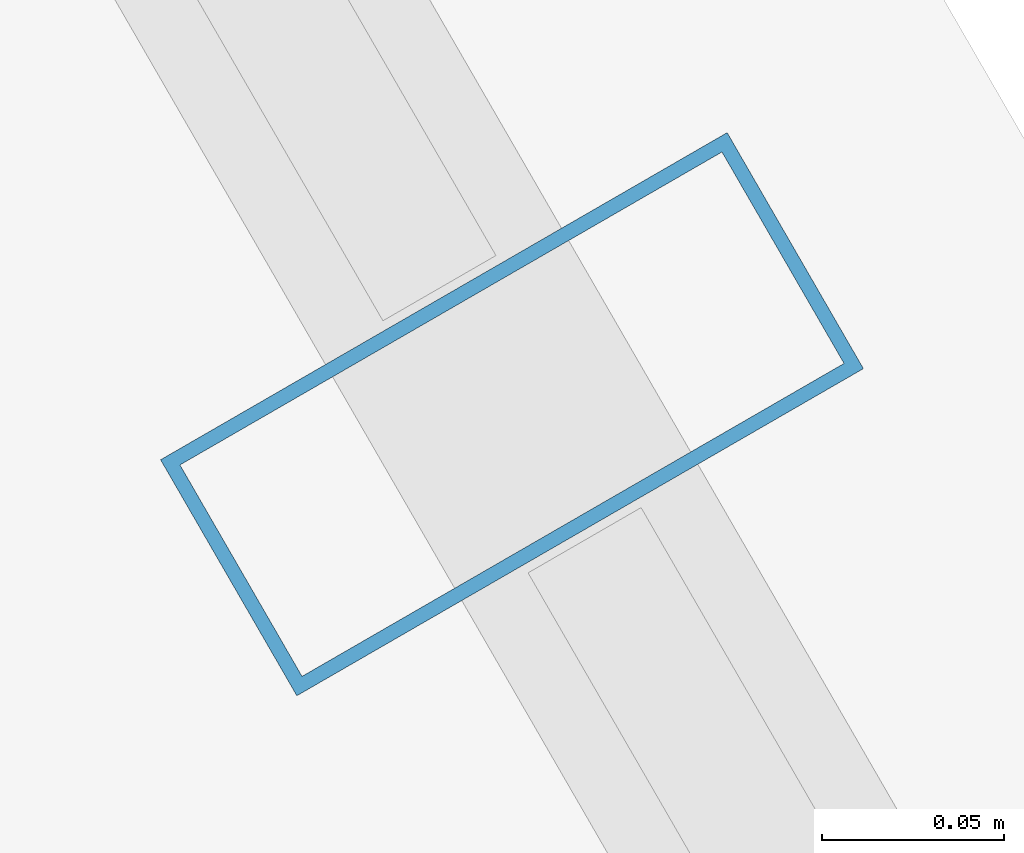
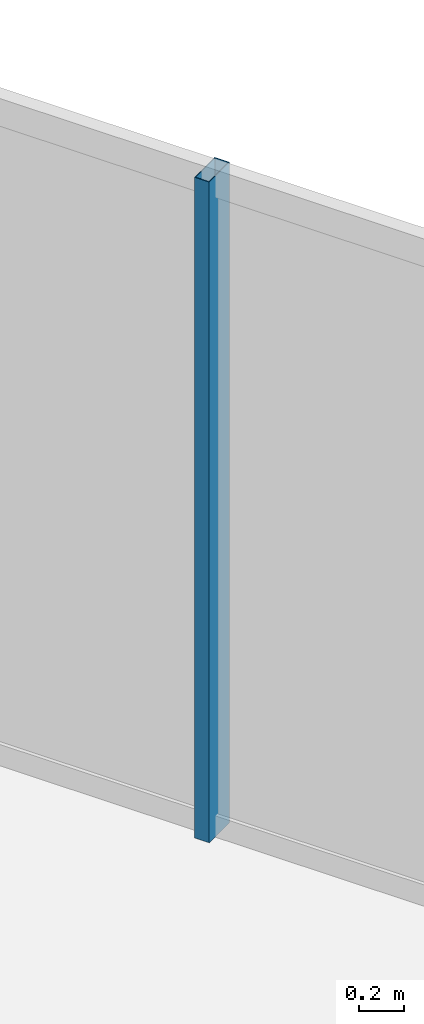
# One storey, part 19 of 35: 1 member, 1 element without a shape of its own.
"""IFC4 building model written with IfcOpenShell, lengths in metres."""

from ifc_helpers import new_model, si_unit, direction, frame, origin, origin_2d, place, context, subcontext, project, spatial, hollow_rectangle, extrude, material, layer, layer_set, material_profile, profile_set, type_object, element, aggregate, save


model = new_model("IFC4")

# Units and contexts
model_context = context("Model", 3, precision=1e-05, world=origin(), true_north=direction((0.0, 1.0)))
body_context = subcontext(model_context, "Body", "Model", "MODEL_VIEW")
ifc_project = project(units=[si_unit("LENGTHUNIT", "METRE"), si_unit("AREAUNIT", "SQUARE_METRE"), si_unit("VOLUMEUNIT", "CUBIC_METRE"), si_unit("PLANEANGLEUNIT", "RADIAN"), si_unit("MASSUNIT", "GRAM", prefix="KILO")], contexts=[model_context])

# Site, building, storey
site_placement = place(None, origin())
site = spatial("IfcSite", under=ifc_project, at=site_placement, CompositionType="ELEMENT")
building_placement = place(site_placement, origin())
building = spatial("IfcBuilding", under=site, at=building_placement, Name="Ndaravel Arena Tower", CompositionType="ELEMENT")
storey_placement = place(building_placement, frame((0.0, 0.0, 180.199951171875)))
storey = spatial("IfcBuildingStorey", under=building, at=storey_placement, Name="L43", CompositionType="ELEMENT", Elevation=180.199951171875)

# Curtain wall, member
ifc_material_1 = material(Name="Aluminium", Category="aluminium")
ifc_layer = layer(ifc_material_1, 0.179931640625)
ifc_layer_set = layer_set([ifc_layer], Name="Aluminium")
curtain_wall_type = type_object("IfcCurtainWallType", Name="CW-SYS-03", PredefinedType="NOTDEFINED", material=ifc_layer_set)
curtain_wall_placement = place(storey_placement, origin())
curtain_wall = element("IfcCurtainWall", 1, at=curtain_wall_placement, inside=storey, type_object=curtain_wall_type, Name="L43 Faceted Crystal Curtain Wall CW-L43-E03", PredefinedType="NOTDEFINED")
ifc_material_2 = material(Name="Aluminium", Category="aluminium")
ifc_material_profile = material_profile(ifc_material_2, hollow_rectangle(XDim=0.074951171875, YDim=0.179931640625, WallThickness=0.00390625, at=origin_2d()), Name="CW MULLION 75x180x4")
ifc_profile_set = profile_set([ifc_material_profile], Name="Aluminium")
member_type = type_object("IfcMemberType", Name="MEM-CW-MUL180", PredefinedType="MULLION", material=ifc_profile_set)
member_placement = place(storey_placement, frame((59.48779296875, 24.6513671875, 0.0), z_axis=(0.0, 0.0, 1.0), x_axis=(-0.5, 0.866025403784, 0.0)))
member = element("IfcMember", 2, at=member_placement, type_object=member_type, Name="CW-L43-E03 Mullion 03", PredefinedType="MULLION", context=body_context, shape_type="SweptSolid", body=[
    extrude(hollow_rectangle(XDim=0.074951171875, YDim=0.179931640625, WallThickness=0.00390625, at=origin_2d()), origin(), (0.0, 0.0, 1.0), 3.580078125),
])
aggregate(curtain_wall, [member])

save(model, "model.ifc")
